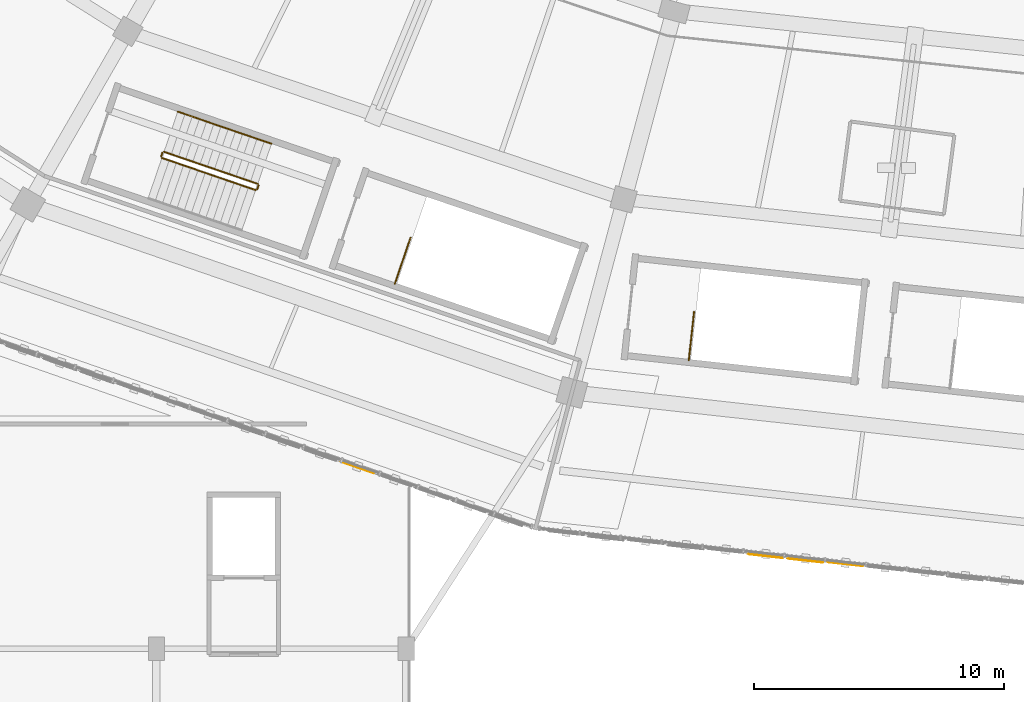
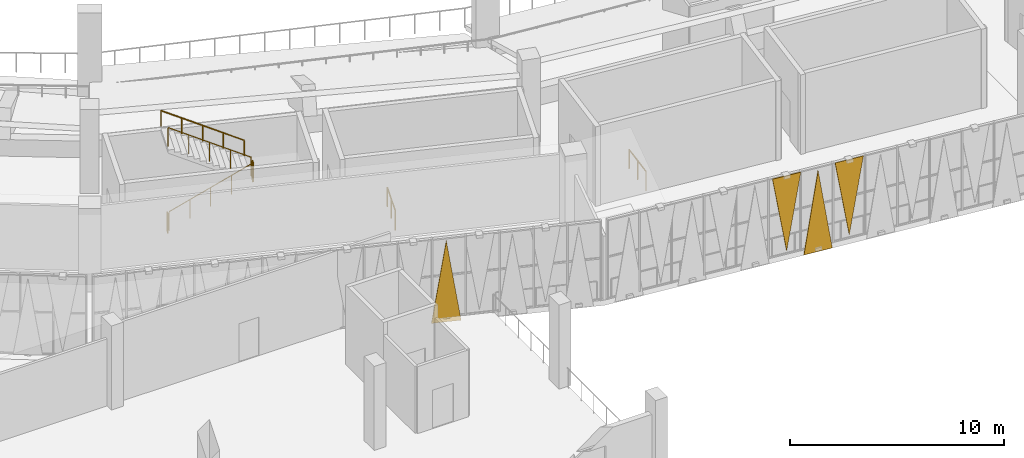
# One storey, part 116 of 152: 7 railings, 4 coverings.
"""IFC4 building model written with IfcOpenShell, lengths in metres."""

from ifc_helpers import new_model, si_unit, direction, frame, origin, origin_2d, place, context, subcontext, project, spatial, polyline, circle, outline, extrude, material, layer, layer_set, type_object, element, save


model = new_model("IFC4")

# Units and contexts
model_context = context("Model", 3, precision=1e-05, world=origin(), true_north=direction((0.0, 1.0)))
body_context = subcontext(model_context, "Body", "Model", "MODEL_VIEW")
ifc_project = project(units=[si_unit("LENGTHUNIT", "METRE"), si_unit("AREAUNIT", "SQUARE_METRE"), si_unit("VOLUMEUNIT", "CUBIC_METRE"), si_unit("PLANEANGLEUNIT", "RADIAN"), si_unit("MASSUNIT", "GRAM", prefix="KILO")], contexts=[model_context])

# Site, building, storey
site_placement = place(None, origin())
site = spatial("IfcSite", under=ifc_project, at=site_placement, CompositionType="ELEMENT")
building_placement = place(site_placement, origin())
building = spatial("IfcBuilding", under=site, at=building_placement, Name="Zevraka Park Crest Stadium", CompositionType="ELEMENT")
storey_placement = place(building_placement, frame((0.0, 0.0, 15.0)))
storey = spatial("IfcBuildingStorey", under=building, at=storey_placement, Name="L03", CompositionType="ELEMENT", Elevation=15.0)

# Coverings
ifc_material_1 = material(Name="Architectural golden-bronze perforated aluminium", Category="aluminium")
ifc_layer = layer(ifc_material_1, 0.034912109375)
ifc_layer_set = layer_set([ifc_layer], Name="Architectural golden-bronze perforated aluminium")
covering_type = type_object("IfcCoveringType", Name="CLD01", PredefinedType="CLADDING", material=ifc_layer_set)
covering_1_placement = place(storey_placement, frame((79.368896484375, 16.47998046875, -0.260009765625), z_axis=(-0.329343541036, -0.944210162435, 3.3649168e-05), x_axis=(0.94421016297, -0.329343541222, 0.0)))
element("IfcCovering", 1, at=covering_1_placement, inside=storey, type_object=covering_type, Name="Triangular Golden-Bronze Perforated Cladding L03-16-11", PredefinedType="CLADDING", context=body_context, shape_type="SweptSolid", body=[
    extrude(outline(polyline([(0.0, 0.0), (1.4151316020815952, 0.0), (0.7076408580014601, 4.620117190115602), (0.0, 0.0)])), origin(), (0.0, 0.0, -1.0), 0.034912109375),
])
covering_2_placement = place(storey_placement, frame((97.10205078125, 12.655029296875, 4.52001953125), z_axis=(0.11052412629, 0.993873440993, 2.8214201e-05), x_axis=(-0.993873441389, 0.110524126334, 0.0)))
element("IfcCovering", 2, at=covering_2_placement, inside=storey, type_object=covering_type, Name="Triangular Golden-Bronze Perforated Cladding L03-17-6", PredefinedType="CLADDING", context=body_context, shape_type="SweptSolid", body=[
    extrude(outline(polyline([(0.0, 0.0), (1.446852507941667, 0.0), (0.7234397456854739, -4.300048829836508), (0.0, 0.0)])), origin(), (0.0, 0.0, -1.0), 0.034912109375),
])
covering_3_placement = place(storey_placement, frame((97.260986328125, 12.636962890625, -0.260009765625), z_axis=(0.109857339416, 0.993947356621, 0.000131307778), x_axis=(0.99394736519, -0.109857340363, 0.0)))
element("IfcCovering", 3, at=covering_3_placement, inside=storey, type_object=covering_type, Name="Triangular Golden-Bronze Perforated Cladding L03-17-7", PredefinedType="CLADDING", context=body_context, shape_type="SweptSolid", body=[
    extrude(outline(polyline([(0.0, 0.0), (1.4467448997915233, -3.3881317890172014e-21), (0.7234395014951044, -4.620117227329413), (0.0, 0.0)])), origin(), (0.0, 0.0, -1.0), 0.034912109375),
])
covering_4_placement = place(storey_placement, frame((100.294921875, 12.300048828125, 4.52001953125), z_axis=(-0.110598317724, -0.993865187976, 1.5655252e-05), x_axis=(-0.993865188098, 0.110598317738, 0.0)))
element("IfcCovering", 4, at=covering_4_placement, inside=storey, type_object=covering_type, Name="Triangular Golden-Bronze Perforated Cladding L03-17-8", PredefinedType="CLADDING", context=body_context, shape_type="SweptSolid", body=[
    extrude(outline(polyline([(0.0, 0.0), (1.4458819324376355, 0.0), (0.7224421797112335, 4.300048828651943), (0.0, 0.0)])), origin(), (0.0, 0.0, -1.0), 0.034912109375),
])

# Railings
ifc_material_2 = material(Name="Powder-coated tubular steel stairwell guard", Category="steel")
railing_type_1 = type_object("IfcRailingType", Name="GR03", PredefinedType="GUARDRAIL", material=ifc_material_2)
railing_1_placement = place(storey_placement, frame((72.218017578125, 28.649658203125, 0.17138671875)))
element("IfcRailing", 5, at=railing_1_placement, inside=storey, type_object=railing_type_1, Name="L03 ST17 stair guard 1", PredefinedType="GUARDRAIL", context=body_context, shape_type="SweptSolid", body=[
    extrude(circle(Radius=0.02392578125, at=origin_2d()), frame((0.0, 0.0, 1.076171875), z_axis=(0.824739296281, -0.282392023283, 0.489959017016), x_axis=(0.323938619155, 0.946078099852, 0.0)), (0.0, 0.0, 1.0), 4.54833984375),
    extrude(circle(Radius=0.02099609375, at=origin_2d()), origin(), (0.0, 0.0, 1.0), 1.052001953125),
    extrude(circle(Radius=0.02099609375, at=origin_2d()), frame((0.937744140625, -0.321044921875, 0.55712890625)), (0.0, 0.0, 1.0), 1.052001953125),
    extrude(circle(Radius=0.02099609375, at=origin_2d()), frame((1.87548828125, -0.64208984375, 1.1142578125)), (0.0, 0.0, 1.0), 1.052001953125),
    extrude(circle(Radius=0.02099609375, at=origin_2d()), frame((2.8134765625, -0.96337890625, 1.67138671875)), (0.0, 0.0, 1.0), 1.052001953125),
    extrude(circle(Radius=0.02099609375, at=origin_2d()), frame((3.751220703125, -1.284423828125, 2.228515625)), (0.0, 0.0, 1.0), 1.052001953125),
])
railing_2_placement = place(storey_placement, frame((76.03271484375, 27.396240234375, 2.39990234375)))
element("IfcRailing", 6, at=railing_2_placement, inside=storey, type_object=railing_type_1, Name="L03 ST17 stair guard 2", PredefinedType="GUARDRAIL", context=body_context, shape_type="SweptSolid", body=[
    extrude(circle(Radius=0.02392578125, at=origin_2d()), frame((0.0, 0.0, 1.076171875), z_axis=(0.324909238665, 0.945745201748, 0.0), x_axis=(-0.945745201748, 0.324909238665, 0.0)), (0.0, 0.0, 1.0), 0.16015625),
    extrude(circle(Radius=0.02099609375, at=origin_2d()), origin(), (0.0, 0.0, 1.0), 1.052001953125),
    extrude(circle(Radius=0.02099609375, at=origin_2d()), frame((0.052001953125, 0.1513671875, 0.0)), (0.0, 0.0, 1.0), 1.052001953125),
])
railing_3_placement = place(storey_placement, frame((76.053466796875, 27.611083984375, 2.571533203125)))
element("IfcRailing", 7, at=railing_3_placement, inside=storey, type_object=railing_type_1, Name="L03 ST17 stair guard 3", PredefinedType="GUARDRAIL", context=body_context, shape_type="SweptSolid", body=[
    extrude(circle(Radius=0.02392578125, at=origin_2d()), frame((0.0, 0.0, 1.076171875), z_axis=(-0.824726794133, 0.282441418206, 0.489951589772), x_axis=(-0.32399372979, -0.946059228091, 0.0)), (0.0, 0.0, 1.0), 4.54833984375),
    extrude(circle(Radius=0.02099609375, at=origin_2d()), origin(), (0.0, 0.0, 1.0), 1.052001953125),
    extrude(circle(Radius=0.02099609375, at=origin_2d()), frame((-0.937744140625, 0.3212890625, 0.55712890625)), (0.0, 0.0, 1.0), 1.052001953125),
    extrude(circle(Radius=0.02099609375, at=origin_2d()), frame((-1.87548828125, 0.642333984375, 1.1142578125)), (0.0, 0.0, 1.0), 1.052001953125),
    extrude(circle(Radius=0.02099609375, at=origin_2d()), frame((-2.8134765625, 0.96337890625, 1.67138671875)), (0.0, 0.0, 1.0), 1.052001953125),
    extrude(circle(Radius=0.02099609375, at=origin_2d()), frame((-3.751220703125, 1.28466796875, 2.228515625)), (0.0, 0.0, 1.0), 1.052001953125),
])
railing_4_placement = place(storey_placement, frame((72.18701171875, 28.713134765625, 0.0)))
element("IfcRailing", 8, at=railing_4_placement, inside=storey, type_object=railing_type_1, Name="L03 ST17 stair guard 4", PredefinedType="GUARDRAIL", context=body_context, shape_type="SweptSolid", body=[
    extrude(circle(Radius=0.02392578125, at=origin_2d()), frame((0.0, 0.0, 1.076171875), z_axis=(0.32354385955, 0.946213174156, 0.0), x_axis=(-0.946213174156, 0.32354385955, 0.0)), (0.0, 0.0, 1.0), 0.159912109375),
    extrude(circle(Radius=0.02099609375, at=origin_2d()), origin(), (0.0, 0.0, 1.0), 1.052001953125),
    extrude(circle(Radius=0.02099609375, at=origin_2d()), frame((0.0517578125, 0.1513671875, 0.0)), (0.0, 0.0, 1.0), 1.052001953125),
])
railing_5_placement = place(storey_placement, frame((93.3076171875, 20.5439453125, 0.0)))
element("IfcRailing", 9, at=railing_5_placement, inside=storey, type_object=railing_type_1, Name="L03 ST18 top well guard 1", PredefinedType="GUARDRAIL", context=body_context, shape_type="SweptSolid", body=[
    extrude(circle(Radius=0.02392578125, at=origin_2d()), frame((0.0, 0.0, 1.076171875), z_axis=(0.108243839259, 0.994124374142, 0.0), x_axis=(-0.994124374142, 0.108243839259, 0.0)), (0.0, 0.0, 1.0), 1.9599609375),
    extrude(circle(Radius=0.02099609375, at=origin_2d()), origin(), (0.0, 0.0, 1.0), 1.052001953125),
    extrude(circle(Radius=0.02099609375, at=origin_2d()), frame((0.10595703125, 0.97412109375, 0.0)), (0.0, 0.0, 1.0), 1.052001953125),
    extrude(circle(Radius=0.02099609375, at=origin_2d()), frame((0.212158203125, 1.948486328125, 0.0)), (0.0, 0.0, 1.0), 1.052001953125),
])
railing_6_placement = place(storey_placement, frame((81.537841796875, 23.609375, 0.0)))
element("IfcRailing", 10, at=railing_6_placement, inside=storey, type_object=railing_type_1, Name="L03 ST29 top well guard 1", PredefinedType="GUARDRAIL", context=body_context, shape_type="SweptSolid", body=[
    extrude(circle(Radius=0.02392578125, at=origin_2d()), frame((0.0, 0.0, 1.076171875), z_axis=(0.323989920405, 0.94606053267, 0.0), x_axis=(-0.94606053267, 0.323989920405, 0.0)), (0.0, 0.0, 1.0), 1.9599609375),
    extrude(circle(Radius=0.02099609375, at=origin_2d()), origin(), (0.0, 0.0, 1.0), 1.052001953125),
    extrude(circle(Radius=0.02099609375, at=origin_2d()), frame((0.3173828125, 0.92724609375, 0.0)), (0.0, 0.0, 1.0), 1.052001953125),
    extrude(circle(Radius=0.02099609375, at=origin_2d()), frame((0.635009765625, 1.854248046875, 0.0)), (0.0, 0.0, 1.0), 1.052001953125),
])
ifc_material_3 = material(Name="Brushed stainless steel continuous handrail", Category="steel")
railing_type_2 = type_object("IfcRailingType", Name="HR01", PredefinedType="HANDRAIL", material=ifc_material_3)
railing_7_placement = place(storey_placement, frame((76.604248046875, 29.219482421875, 2.571533203125)))
element("IfcRailing", 11, at=railing_7_placement, inside=storey, type_object=railing_type_2, Name="L03 ST17 stair handrail 2", PredefinedType="HANDRAIL", context=body_context, shape_type="SweptSolid", body=[
    extrude(circle(Radius=0.02392578125, at=origin_2d()), frame((0.0, 0.0, 0.8759765625), z_axis=(-0.824739296281, 0.282392023283, 0.489959017016), x_axis=(-0.323938619155, -0.946078099852, 0.0)), (0.0, 0.0, 1.0), 4.54833984375),
    extrude(circle(Radius=0.02099609375, at=origin_2d()), origin(), (0.0, 0.0, 1.0), 0.851806640625),
    extrude(circle(Radius=0.02099609375, at=origin_2d()), frame((-0.937744140625, 0.321044921875, 0.55712890625)), (0.0, 0.0, 1.0), 0.851806640625),
    extrude(circle(Radius=0.02099609375, at=origin_2d()), frame((-1.87548828125, 0.64208984375, 1.1142578125)), (0.0, 0.0, 1.0), 0.851806640625),
    extrude(circle(Radius=0.02099609375, at=origin_2d()), frame((-2.8134765625, 0.96337890625, 1.67138671875)), (0.0, 0.0, 1.0), 0.851806640625),
    extrude(circle(Radius=0.02099609375, at=origin_2d()), frame((-3.751220703125, 1.284423828125, 2.228515625)), (0.0, 0.0, 1.0), 0.851806640625),
])

save(model, "model.ifc")
